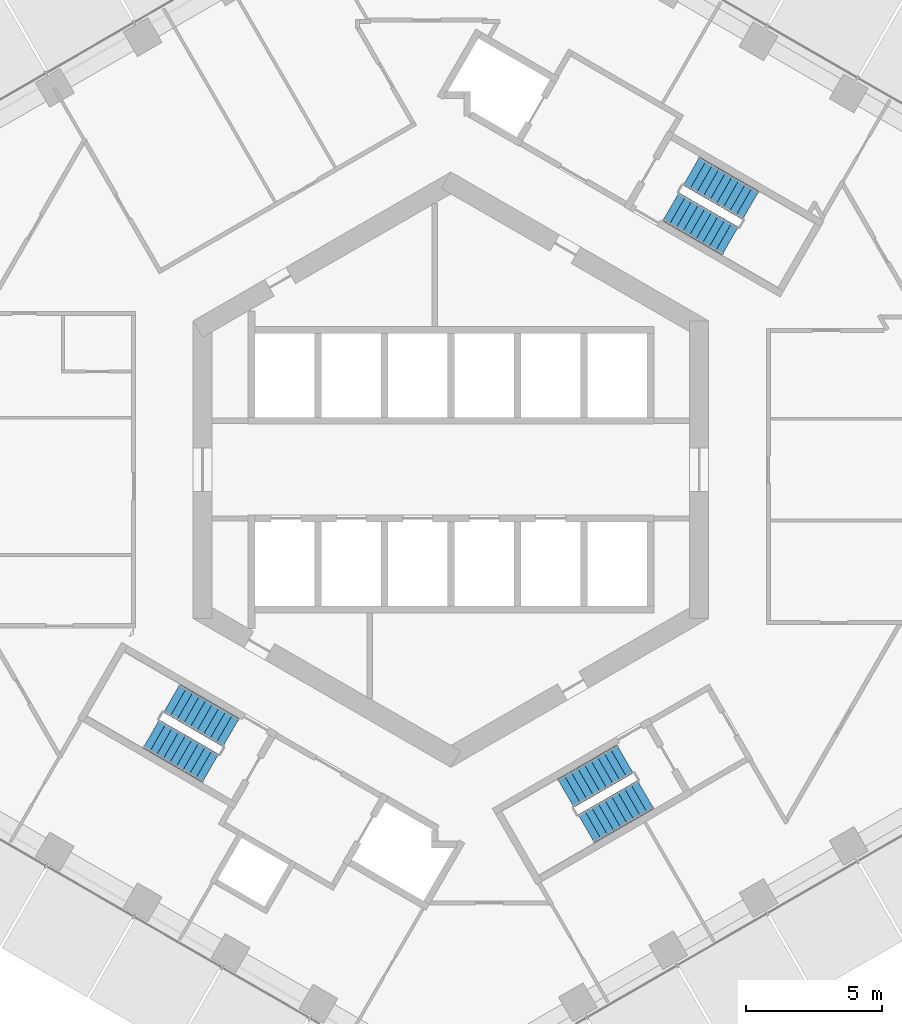
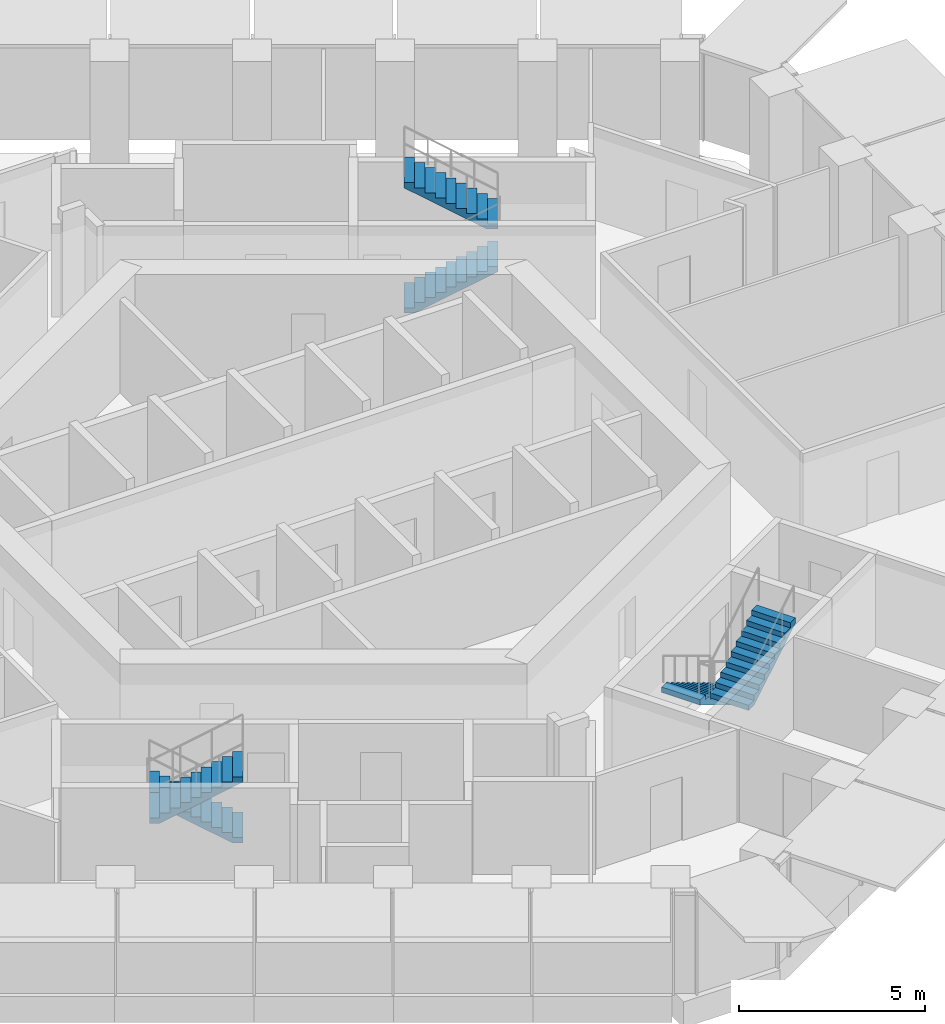
# One storey, part 16 of 18: 6 stair flights, 3 elements without a shape of their own.
"""IFC4 building model written with IfcOpenShell, lengths in metres."""

from ifc_helpers import new_model, si_unit, direction, frame, origin, place, context, subcontext, project, spatial, triangles, material, type_object, element, aggregate, save


model = new_model("IFC4")

# Units and contexts
model_context = context("Model", 3, precision=1e-05, world=origin(), true_north=direction((0.0, 1.0)))
body_context = subcontext(model_context, "Body", "Model", "MODEL_VIEW")
ifc_project = project(units=[si_unit("LENGTHUNIT", "METRE"), si_unit("AREAUNIT", "SQUARE_METRE"), si_unit("VOLUMEUNIT", "CUBIC_METRE"), si_unit("PLANEANGLEUNIT", "RADIAN"), si_unit("MASSUNIT", "GRAM", prefix="KILO")], contexts=[model_context])

# Site, building, storey
site_placement = place(None, origin())
site = spatial("IfcSite", under=ifc_project, at=site_placement, CompositionType="ELEMENT")
building_placement = place(site_placement, origin())
building = spatial("IfcBuilding", under=site, at=building_placement, Name="Ayvan Gate Tower", CompositionType="ELEMENT")
storey_placement = place(building_placement, frame((0.0, 0.0, 89.89990234375)))
storey = spatial("IfcBuildingStorey", under=building, at=storey_placement, Name="L23", CompositionType="ELEMENT", Elevation=89.89990234375)

# Stair, stair flights
ifc_material = material(Name="Concrete C40/50", Category="concrete")
stair_type = type_object("IfcStairType", Name="ST-EXIT", PredefinedType="HALF_TURN_STAIR", material=ifc_material)
stair_1_placement = place(storey_placement, origin())
stair_1 = element("IfcStair", 1, at=stair_1_placement, inside=storey, type_object=stair_type, Name="L23 Exit Stair S1", PredefinedType="HALF_TURN_STAIR")
stair_flight_type = type_object("IfcStairFlightType", Name="SFL-EXIT", PredefinedType="STRAIGHT", material=ifc_material)
stair_flight_1_placement = place(storey_placement, frame((8.106201171875, 9.690185546875, 0.0), z_axis=(0.0, 0.0, 1.0), x_axis=(0.866025403784, -0.5, 0.0)))
stair_flight_1 = element("IfcStairFlight", 2, at=stair_flight_1_placement, type_object=stair_flight_type, Name="STS1 flight 1", NumberOfRisers=10, NumberOfTreads=9, PredefinedType="STRAIGHT", RiserHeight=0.17, TreadLength=0.28, context=body_context, shape_type="Tessellation", body=[
    triangles([(0.288841, -0.599976, 0.0), (2.5205, -0.599976, 1.354936), (2.5205, -0.599976, 1.53), (2.24, -0.599976, 1.53), (2.24, -0.599976, 1.36), (1.96, -0.599976, 1.36), (1.96, -0.599976, 1.19), (1.68, -0.599976, 1.19), (1.68, -0.599976, 1.02), (1.4, -0.599976, 1.02), (1.4, -0.599976, 0.85), (1.12, -0.599976, 0.85), (1.12, -0.599976, 0.68), (0.84, -0.599976, 0.68), (0.84, -0.599976, 0.51), (0.56, -0.599976, 0.51), (0.56, -0.599976, 0.34), (0.28, -0.599976, 0.34), (0.28, -0.599976, 0.17), (-0.0005, -0.599976, 0.17), (-0.0005, -0.599976, 0.0), (0.288841, 0.0, 0.0), (2.5205, 0.0, 1.354936), (2.5205, 0.0, 1.53), (2.24, 0.0, 1.53), (2.24, 0.0, 1.36), (1.96, 0.0, 1.36), (1.96, 0.0, 1.19), (1.68, 0.0, 1.19), (1.68, 0.0, 1.02), (1.4, 0.0, 1.02), (1.4, 0.0, 0.85), (1.12, 0.0, 0.85), (1.12, 0.0, 0.68), (0.84, 0.0, 0.68), (0.84, 0.0, 0.51), (0.56, 0.0, 0.51), (0.56, 0.0, 0.34), (0.28, 0.0, 0.34), (0.28, 0.0, 0.17), (-0.0005, 0.0, 0.17), (-0.0005, 0.0, 0.0), (0.288841, 0.599976, 0.0), (2.5205, 0.599976, 1.354936), (2.5205, 0.599976, 1.53), (2.24, 0.599976, 1.53), (2.24, 0.599976, 1.36), (1.96, 0.599976, 1.36), (1.96, 0.599976, 1.19), (1.68, 0.599976, 1.19), (1.68, 0.599976, 1.02), (1.4, 0.599976, 1.02), (1.4, 0.599976, 0.85), (1.12, 0.599976, 0.85), (1.12, 0.599976, 0.68), (0.84, 0.599976, 0.68), (0.84, 0.599976, 0.51), (0.56, 0.599976, 0.51), (0.56, 0.599976, 0.34), (0.28, 0.599976, 0.34), (0.28, 0.599976, 0.17), (-0.0005, 0.599976, 0.17), (-0.0005, 0.599976, 0.0)], [[21, 1, 2], [63, 44, 43], [2, 3, 4], [44, 46, 45], [2, 4, 5], [44, 47, 46], [2, 5, 6], [44, 48, 47], [2, 6, 7], [44, 49, 48], [7, 8, 9], [49, 51, 50], [2, 7, 9], [44, 51, 49], [9, 10, 11], [51, 53, 52], [2, 9, 11], [44, 53, 51], [11, 12, 13], [53, 55, 54], [2, 11, 13], [44, 55, 53], [13, 14, 15], [55, 57, 56], [2, 13, 15], [44, 57, 55], [15, 16, 17], [57, 59, 58], [2, 15, 17], [44, 59, 57], [17, 18, 19], [59, 61, 60], [2, 17, 19], [44, 61, 59], [21, 2, 19], [63, 61, 44], [19, 20, 21], [61, 63, 62], [1, 22, 23], [1, 23, 2], [43, 23, 22], [43, 44, 23], [2, 23, 24], [2, 24, 3], [44, 24, 23], [44, 45, 24], [3, 24, 25], [3, 25, 4], [45, 25, 24], [45, 46, 25], [4, 25, 26], [4, 26, 5], [46, 26, 25], [46, 47, 26], [5, 26, 27], [5, 27, 6], [47, 27, 26], [47, 48, 27], [6, 27, 28], [6, 28, 7], [48, 28, 27], [48, 49, 28], [7, 28, 29], [7, 29, 8], [49, 29, 28], [49, 50, 29], [8, 29, 30], [8, 30, 9], [50, 30, 29], [50, 51, 30], [9, 30, 31], [9, 31, 10], [51, 31, 30], [51, 52, 31], [10, 31, 32], [10, 32, 11], [52, 32, 31], [52, 53, 32], [11, 32, 33], [11, 33, 12], [53, 33, 32], [53, 54, 33], [12, 33, 34], [12, 34, 13], [54, 34, 33], [54, 55, 34], [13, 34, 35], [13, 35, 14], [55, 35, 34], [55, 56, 35], [14, 35, 36], [14, 36, 15], [56, 36, 35], [56, 57, 36], [15, 36, 37], [15, 37, 16], [57, 37, 36], [57, 58, 37], [16, 37, 38], [16, 38, 17], [58, 38, 37], [58, 59, 38], [17, 38, 39], [17, 39, 18], [59, 39, 38], [59, 60, 39], [18, 39, 40], [18, 40, 19], [60, 40, 39], [60, 61, 40], [19, 40, 41], [19, 41, 20], [61, 41, 40], [61, 62, 41], [20, 41, 42], [20, 42, 21], [62, 42, 41], [62, 63, 42], [21, 42, 22], [21, 22, 1], [63, 22, 42], [63, 43, 22]], closed=True),
])
stair_flight_2_placement = place(storey_placement, frame((11.04345703125, 9.73779296875, 1.7001953125), z_axis=(0.0, 0.0, 1.0), x_axis=(-0.866025403784, 0.5, 0.0)))
stair_flight_2 = element("IfcStairFlight", 3, at=stair_flight_2_placement, type_object=stair_flight_type, Name="STS1 flight 2", NumberOfRisers=10, NumberOfTreads=9, PredefinedType="STRAIGHT", RiserHeight=0.17, TreadLength=0.28, context=body_context, shape_type="Tessellation", body=[
    triangles([(0.288841, -0.599976, 0.0), (2.5205, -0.599976, 1.354936), (2.5205, -0.599976, 1.53), (2.24, -0.599976, 1.53), (2.24, -0.599976, 1.36), (1.96, -0.599976, 1.36), (1.96, -0.599976, 1.19), (1.68, -0.599976, 1.19), (1.68, -0.599976, 1.02), (1.4, -0.599976, 1.02), (1.4, -0.599976, 0.85), (1.12, -0.599976, 0.85), (1.12, -0.599976, 0.68), (0.84, -0.599976, 0.68), (0.84, -0.599976, 0.51), (0.56, -0.599976, 0.51), (0.56, -0.599976, 0.34), (0.28, -0.599976, 0.34), (0.28, -0.599976, 0.17), (-0.0005, -0.599976, 0.17), (-0.0005, -0.599976, 0.0), (0.288841, 0.0, 0.0), (2.5205, 0.0, 1.354936), (2.5205, 0.0, 1.53), (2.24, 0.0, 1.53), (2.24, 0.0, 1.36), (1.96, 0.0, 1.36), (1.96, 0.0, 1.19), (1.68, 0.0, 1.19), (1.68, 0.0, 1.02), (1.4, 0.0, 1.02), (1.4, 0.0, 0.85), (1.12, 0.0, 0.85), (1.12, 0.0, 0.68), (0.84, 0.0, 0.68), (0.84, 0.0, 0.51), (0.56, 0.0, 0.51), (0.56, 0.0, 0.34), (0.28, 0.0, 0.34), (0.28, 0.0, 0.17), (-0.0005, 0.0, 0.17), (-0.0005, 0.0, 0.0), (0.288841, 0.599976, 0.0), (2.5205, 0.599976, 1.354936), (2.5205, 0.599976, 1.53), (2.24, 0.599976, 1.53), (2.24, 0.599976, 1.36), (1.96, 0.599976, 1.36), (1.96, 0.599976, 1.19), (1.68, 0.599976, 1.19), (1.68, 0.599976, 1.02), (1.4, 0.599976, 1.02), (1.4, 0.599976, 0.85), (1.12, 0.599976, 0.85), (1.12, 0.599976, 0.68), (0.84, 0.599976, 0.68), (0.84, 0.599976, 0.51), (0.56, 0.599976, 0.51), (0.56, 0.599976, 0.34), (0.28, 0.599976, 0.34), (0.28, 0.599976, 0.17), (-0.0005, 0.599976, 0.17), (-0.0005, 0.599976, 0.0)], [[21, 1, 2], [63, 44, 43], [2, 3, 4], [44, 46, 45], [2, 4, 5], [44, 47, 46], [2, 5, 6], [44, 48, 47], [2, 6, 7], [44, 49, 48], [7, 8, 9], [49, 51, 50], [2, 7, 9], [44, 51, 49], [9, 10, 11], [51, 53, 52], [2, 9, 11], [44, 53, 51], [11, 12, 13], [53, 55, 54], [2, 11, 13], [44, 55, 53], [13, 14, 15], [55, 57, 56], [2, 13, 15], [44, 57, 55], [15, 16, 17], [57, 59, 58], [2, 15, 17], [44, 59, 57], [17, 18, 19], [59, 61, 60], [2, 17, 19], [44, 61, 59], [21, 2, 19], [63, 61, 44], [19, 20, 21], [61, 63, 62], [1, 22, 23], [1, 23, 2], [43, 23, 22], [43, 44, 23], [2, 23, 24], [2, 24, 3], [44, 24, 23], [44, 45, 24], [3, 24, 25], [3, 25, 4], [45, 25, 24], [45, 46, 25], [4, 25, 26], [4, 26, 5], [46, 26, 25], [46, 47, 26], [5, 26, 27], [5, 27, 6], [47, 27, 26], [47, 48, 27], [6, 27, 28], [6, 28, 7], [48, 28, 27], [48, 49, 28], [7, 28, 29], [7, 29, 8], [49, 29, 28], [49, 50, 29], [8, 29, 30], [8, 30, 9], [50, 30, 29], [50, 51, 30], [9, 30, 31], [9, 31, 10], [51, 31, 30], [51, 52, 31], [10, 31, 32], [10, 32, 11], [52, 32, 31], [52, 53, 32], [11, 32, 33], [11, 33, 12], [53, 33, 32], [53, 54, 33], [12, 33, 34], [12, 34, 13], [54, 34, 33], [54, 55, 34], [13, 34, 35], [13, 35, 14], [55, 35, 34], [55, 56, 35], [14, 35, 36], [14, 36, 15], [56, 36, 35], [56, 57, 36], [15, 36, 37], [15, 37, 16], [57, 37, 36], [57, 58, 37], [16, 37, 38], [16, 38, 17], [58, 38, 37], [58, 59, 38], [17, 38, 39], [17, 39, 18], [59, 39, 38], [59, 60, 39], [18, 39, 40], [18, 40, 19], [60, 40, 39], [60, 61, 40], [19, 40, 41], [19, 41, 20], [61, 41, 40], [61, 62, 41], [20, 41, 42], [20, 42, 21], [62, 42, 41], [62, 63, 42], [21, 42, 22], [21, 22, 1], [63, 22, 42], [63, 43, 22]], closed=True),
])
aggregate(stair_1, [stair_flight_1, stair_flight_2])

stair_2_placement = place(storey_placement, origin())
stair_2 = element("IfcStair", 4, at=stair_2_placement, inside=storey, type_object=stair_type, Name="L23 Exit Stair S2", PredefinedType="HALF_TURN_STAIR")
stair_flight_3_placement = place(storey_placement, frame((-8.106201171875, -9.690185546875, 0.0), z_axis=(0.0, 0.0, 1.0), x_axis=(-0.866025403784, 0.5, 0.0)))
stair_flight_3 = element("IfcStairFlight", 5, at=stair_flight_3_placement, type_object=stair_flight_type, Name="STS2 flight 1", NumberOfRisers=10, NumberOfTreads=9, PredefinedType="STRAIGHT", RiserHeight=0.17, TreadLength=0.28, context=body_context, shape_type="Tessellation", body=[
    triangles([(0.288841, -0.599976, 0.0), (2.5205, -0.599976, 1.354936), (2.5205, -0.599976, 1.53), (2.24, -0.599976, 1.53), (2.24, -0.599976, 1.36), (1.96, -0.599976, 1.36), (1.96, -0.599976, 1.19), (1.68, -0.599976, 1.19), (1.68, -0.599976, 1.02), (1.4, -0.599976, 1.02), (1.4, -0.599976, 0.85), (1.12, -0.599976, 0.85), (1.12, -0.599976, 0.68), (0.84, -0.599976, 0.68), (0.84, -0.599976, 0.51), (0.56, -0.599976, 0.51), (0.56, -0.599976, 0.34), (0.28, -0.599976, 0.34), (0.28, -0.599976, 0.17), (-0.0005, -0.599976, 0.17), (-0.0005, -0.599976, 0.0), (0.288841, 0.0, 0.0), (2.5205, 0.0, 1.354936), (2.5205, 0.0, 1.53), (2.24, 0.0, 1.53), (2.24, 0.0, 1.36), (1.96, 0.0, 1.36), (1.96, 0.0, 1.19), (1.68, 0.0, 1.19), (1.68, 0.0, 1.02), (1.4, 0.0, 1.02), (1.4, 0.0, 0.85), (1.12, 0.0, 0.85), (1.12, 0.0, 0.68), (0.84, 0.0, 0.68), (0.84, 0.0, 0.51), (0.56, 0.0, 0.51), (0.56, 0.0, 0.34), (0.28, 0.0, 0.34), (0.28, 0.0, 0.17), (-0.0005, 0.0, 0.17), (-0.0005, 0.0, 0.0), (0.288841, 0.599976, 0.0), (2.5205, 0.599976, 1.354936), (2.5205, 0.599976, 1.53), (2.24, 0.599976, 1.53), (2.24, 0.599976, 1.36), (1.96, 0.599976, 1.36), (1.96, 0.599976, 1.19), (1.68, 0.599976, 1.19), (1.68, 0.599976, 1.02), (1.4, 0.599976, 1.02), (1.4, 0.599976, 0.85), (1.12, 0.599976, 0.85), (1.12, 0.599976, 0.68), (0.84, 0.599976, 0.68), (0.84, 0.599976, 0.51), (0.56, 0.599976, 0.51), (0.56, 0.599976, 0.34), (0.28, 0.599976, 0.34), (0.28, 0.599976, 0.17), (-0.0005, 0.599976, 0.17), (-0.0005, 0.599976, 0.0)], [[21, 1, 2], [63, 44, 43], [2, 3, 4], [44, 46, 45], [2, 4, 5], [44, 47, 46], [2, 5, 6], [44, 48, 47], [2, 6, 7], [44, 49, 48], [7, 8, 9], [49, 51, 50], [2, 7, 9], [44, 51, 49], [9, 10, 11], [51, 53, 52], [2, 9, 11], [44, 53, 51], [11, 12, 13], [53, 55, 54], [2, 11, 13], [44, 55, 53], [13, 14, 15], [55, 57, 56], [2, 13, 15], [44, 57, 55], [15, 16, 17], [57, 59, 58], [2, 15, 17], [44, 59, 57], [17, 18, 19], [59, 61, 60], [2, 17, 19], [44, 61, 59], [21, 2, 19], [63, 61, 44], [19, 20, 21], [61, 63, 62], [1, 22, 23], [1, 23, 2], [43, 23, 22], [43, 44, 23], [2, 23, 24], [2, 24, 3], [44, 24, 23], [44, 45, 24], [3, 24, 25], [3, 25, 4], [45, 25, 24], [45, 46, 25], [4, 25, 26], [4, 26, 5], [46, 26, 25], [46, 47, 26], [5, 26, 27], [5, 27, 6], [47, 27, 26], [47, 48, 27], [6, 27, 28], [6, 28, 7], [48, 28, 27], [48, 49, 28], [7, 28, 29], [7, 29, 8], [49, 29, 28], [49, 50, 29], [8, 29, 30], [8, 30, 9], [50, 30, 29], [50, 51, 30], [9, 30, 31], [9, 31, 10], [51, 31, 30], [51, 52, 31], [10, 31, 32], [10, 32, 11], [52, 32, 31], [52, 53, 32], [11, 32, 33], [11, 33, 12], [53, 33, 32], [53, 54, 33], [12, 33, 34], [12, 34, 13], [54, 34, 33], [54, 55, 34], [13, 34, 35], [13, 35, 14], [55, 35, 34], [55, 56, 35], [14, 35, 36], [14, 36, 15], [56, 36, 35], [56, 57, 36], [15, 36, 37], [15, 37, 16], [57, 37, 36], [57, 58, 37], [16, 37, 38], [16, 38, 17], [58, 38, 37], [58, 59, 38], [17, 38, 39], [17, 39, 18], [59, 39, 38], [59, 60, 39], [18, 39, 40], [18, 40, 19], [60, 40, 39], [60, 61, 40], [19, 40, 41], [19, 41, 20], [61, 41, 40], [61, 62, 41], [20, 41, 42], [20, 42, 21], [62, 42, 41], [62, 63, 42], [21, 42, 22], [21, 22, 1], [63, 22, 42], [63, 43, 22]], closed=True),
])
stair_flight_4_placement = place(storey_placement, frame((-11.04345703125, -9.73779296875, 1.7001953125), z_axis=(0.0, 0.0, 1.0), x_axis=(0.866025403784, -0.5, 0.0)))
stair_flight_4 = element("IfcStairFlight", 6, at=stair_flight_4_placement, type_object=stair_flight_type, Name="STS2 flight 2", NumberOfRisers=10, NumberOfTreads=9, PredefinedType="STRAIGHT", RiserHeight=0.17, TreadLength=0.28, context=body_context, shape_type="Tessellation", body=[
    triangles([(0.288841, -0.599976, 0.0), (2.5205, -0.599976, 1.354936), (2.5205, -0.599976, 1.53), (2.24, -0.599976, 1.53), (2.24, -0.599976, 1.36), (1.96, -0.599976, 1.36), (1.96, -0.599976, 1.19), (1.68, -0.599976, 1.19), (1.68, -0.599976, 1.02), (1.4, -0.599976, 1.02), (1.4, -0.599976, 0.85), (1.12, -0.599976, 0.85), (1.12, -0.599976, 0.68), (0.84, -0.599976, 0.68), (0.84, -0.599976, 0.51), (0.56, -0.599976, 0.51), (0.56, -0.599976, 0.34), (0.28, -0.599976, 0.34), (0.28, -0.599976, 0.17), (-0.0005, -0.599976, 0.17), (-0.0005, -0.599976, 0.0), (0.288841, 0.0, 0.0), (2.5205, 0.0, 1.354936), (2.5205, 0.0, 1.53), (2.24, 0.0, 1.53), (2.24, 0.0, 1.36), (1.96, 0.0, 1.36), (1.96, 0.0, 1.19), (1.68, 0.0, 1.19), (1.68, 0.0, 1.02), (1.4, 0.0, 1.02), (1.4, 0.0, 0.85), (1.12, 0.0, 0.85), (1.12, 0.0, 0.68), (0.84, 0.0, 0.68), (0.84, 0.0, 0.51), (0.56, 0.0, 0.51), (0.56, 0.0, 0.34), (0.28, 0.0, 0.34), (0.28, 0.0, 0.17), (-0.0005, 0.0, 0.17), (-0.0005, 0.0, 0.0), (0.288841, 0.599976, 0.0), (2.5205, 0.599976, 1.354936), (2.5205, 0.599976, 1.53), (2.24, 0.599976, 1.53), (2.24, 0.599976, 1.36), (1.96, 0.599976, 1.36), (1.96, 0.599976, 1.19), (1.68, 0.599976, 1.19), (1.68, 0.599976, 1.02), (1.4, 0.599976, 1.02), (1.4, 0.599976, 0.85), (1.12, 0.599976, 0.85), (1.12, 0.599976, 0.68), (0.84, 0.599976, 0.68), (0.84, 0.599976, 0.51), (0.56, 0.599976, 0.51), (0.56, 0.599976, 0.34), (0.28, 0.599976, 0.34), (0.28, 0.599976, 0.17), (-0.0005, 0.599976, 0.17), (-0.0005, 0.599976, 0.0)], [[21, 1, 2], [63, 44, 43], [2, 3, 4], [44, 46, 45], [2, 4, 5], [44, 47, 46], [2, 5, 6], [44, 48, 47], [2, 6, 7], [44, 49, 48], [7, 8, 9], [49, 51, 50], [2, 7, 9], [44, 51, 49], [9, 10, 11], [51, 53, 52], [2, 9, 11], [44, 53, 51], [11, 12, 13], [53, 55, 54], [2, 11, 13], [44, 55, 53], [13, 14, 15], [55, 57, 56], [2, 13, 15], [44, 57, 55], [15, 16, 17], [57, 59, 58], [2, 15, 17], [44, 59, 57], [17, 18, 19], [59, 61, 60], [2, 17, 19], [44, 61, 59], [21, 2, 19], [63, 61, 44], [19, 20, 21], [61, 63, 62], [1, 22, 23], [1, 23, 2], [43, 23, 22], [43, 44, 23], [2, 23, 24], [2, 24, 3], [44, 24, 23], [44, 45, 24], [3, 24, 25], [3, 25, 4], [45, 25, 24], [45, 46, 25], [4, 25, 26], [4, 26, 5], [46, 26, 25], [46, 47, 26], [5, 26, 27], [5, 27, 6], [47, 27, 26], [47, 48, 27], [6, 27, 28], [6, 28, 7], [48, 28, 27], [48, 49, 28], [7, 28, 29], [7, 29, 8], [49, 29, 28], [49, 50, 29], [8, 29, 30], [8, 30, 9], [50, 30, 29], [50, 51, 30], [9, 30, 31], [9, 31, 10], [51, 31, 30], [51, 52, 31], [10, 31, 32], [10, 32, 11], [52, 32, 31], [52, 53, 32], [11, 32, 33], [11, 33, 12], [53, 33, 32], [53, 54, 33], [12, 33, 34], [12, 34, 13], [54, 34, 33], [54, 55, 34], [13, 34, 35], [13, 35, 14], [55, 35, 34], [55, 56, 35], [14, 35, 36], [14, 36, 15], [56, 36, 35], [56, 57, 36], [15, 36, 37], [15, 37, 16], [57, 37, 36], [57, 58, 37], [16, 37, 38], [16, 38, 17], [58, 38, 37], [58, 59, 38], [17, 38, 39], [17, 39, 18], [59, 39, 38], [59, 60, 39], [18, 39, 40], [18, 40, 19], [60, 40, 39], [60, 61, 40], [19, 40, 41], [19, 41, 20], [61, 41, 40], [61, 62, 41], [20, 41, 42], [20, 42, 21], [62, 42, 41], [62, 63, 42], [21, 42, 22], [21, 22, 1], [63, 22, 42], [63, 43, 22]], closed=True),
])
aggregate(stair_2, [stair_flight_3, stair_flight_4])

stair_3_placement = place(storey_placement, origin())
stair_3 = element("IfcStair", 7, at=stair_3_placement, inside=storey, type_object=stair_type, Name="L23 Exit Stair S3", PredefinedType="HALF_TURN_STAIR")
stair_flight_5_placement = place(storey_placement, frame((6.417236328125, -10.665283203125, 0.0), z_axis=(0.0, 0.0, 1.0), x_axis=(-0.866025403784, -0.5, 0.0)))
stair_flight_5 = element("IfcStairFlight", 8, at=stair_flight_5_placement, type_object=stair_flight_type, Name="STS3 flight 1", NumberOfRisers=10, NumberOfTreads=9, PredefinedType="STRAIGHT", RiserHeight=0.17, TreadLength=0.28, context=body_context, shape_type="Tessellation", body=[
    triangles([(0.288841, -0.599976, 0.0), (2.5205, -0.599976, 1.354936), (2.5205, -0.599976, 1.53), (2.24, -0.599976, 1.53), (2.24, -0.599976, 1.36), (1.96, -0.599976, 1.36), (1.96, -0.599976, 1.19), (1.68, -0.599976, 1.19), (1.68, -0.599976, 1.02), (1.4, -0.599976, 1.02), (1.4, -0.599976, 0.85), (1.12, -0.599976, 0.85), (1.12, -0.599976, 0.68), (0.84, -0.599976, 0.68), (0.84, -0.599976, 0.51), (0.56, -0.599976, 0.51), (0.56, -0.599976, 0.34), (0.28, -0.599976, 0.34), (0.28, -0.599976, 0.17), (-0.0005, -0.599976, 0.17), (-0.0005, -0.599976, 0.0), (0.288841, 0.0, 0.0), (2.5205, 0.0, 1.354936), (2.5205, 0.0, 1.53), (2.24, 0.0, 1.53), (2.24, 0.0, 1.36), (1.96, 0.0, 1.36), (1.96, 0.0, 1.19), (1.68, 0.0, 1.19), (1.68, 0.0, 1.02), (1.4, 0.0, 1.02), (1.4, 0.0, 0.85), (1.12, 0.0, 0.85), (1.12, 0.0, 0.68), (0.84, 0.0, 0.68), (0.84, 0.0, 0.51), (0.56, 0.0, 0.51), (0.56, 0.0, 0.34), (0.28, 0.0, 0.34), (0.28, 0.0, 0.17), (-0.0005, 0.0, 0.17), (-0.0005, 0.0, 0.0), (0.288841, 0.599976, 0.0), (2.5205, 0.599976, 1.354936), (2.5205, 0.599976, 1.53), (2.24, 0.599976, 1.53), (2.24, 0.599976, 1.36), (1.96, 0.599976, 1.36), (1.96, 0.599976, 1.19), (1.68, 0.599976, 1.19), (1.68, 0.599976, 1.02), (1.4, 0.599976, 1.02), (1.4, 0.599976, 0.85), (1.12, 0.599976, 0.85), (1.12, 0.599976, 0.68), (0.84, 0.599976, 0.68), (0.84, 0.599976, 0.51), (0.56, 0.599976, 0.51), (0.56, 0.599976, 0.34), (0.28, 0.599976, 0.34), (0.28, 0.599976, 0.17), (-0.0005, 0.599976, 0.17), (-0.0005, 0.599976, 0.0)], [[21, 1, 2], [63, 44, 43], [2, 3, 4], [44, 46, 45], [2, 4, 5], [44, 47, 46], [2, 5, 6], [44, 48, 47], [2, 6, 7], [44, 49, 48], [7, 8, 9], [49, 51, 50], [2, 7, 9], [44, 51, 49], [9, 10, 11], [51, 53, 52], [2, 9, 11], [44, 53, 51], [11, 12, 13], [53, 55, 54], [2, 11, 13], [44, 55, 53], [13, 14, 15], [55, 57, 56], [2, 13, 15], [44, 57, 55], [15, 16, 17], [57, 59, 58], [2, 15, 17], [44, 59, 57], [17, 18, 19], [59, 61, 60], [2, 17, 19], [44, 61, 59], [21, 2, 19], [63, 61, 44], [19, 20, 21], [61, 63, 62], [1, 22, 23], [1, 23, 2], [43, 23, 22], [43, 44, 23], [2, 23, 24], [2, 24, 3], [44, 24, 23], [44, 45, 24], [3, 24, 25], [3, 25, 4], [45, 25, 24], [45, 46, 25], [4, 25, 26], [4, 26, 5], [46, 26, 25], [46, 47, 26], [5, 26, 27], [5, 27, 6], [47, 27, 26], [47, 48, 27], [6, 27, 28], [6, 28, 7], [48, 28, 27], [48, 49, 28], [7, 28, 29], [7, 29, 8], [49, 29, 28], [49, 50, 29], [8, 29, 30], [8, 30, 9], [50, 30, 29], [50, 51, 30], [9, 30, 31], [9, 31, 10], [51, 31, 30], [51, 52, 31], [10, 31, 32], [10, 32, 11], [52, 32, 31], [52, 53, 32], [11, 32, 33], [11, 33, 12], [53, 33, 32], [53, 54, 33], [12, 33, 34], [12, 34, 13], [54, 34, 33], [54, 55, 34], [13, 34, 35], [13, 35, 14], [55, 35, 34], [55, 56, 35], [14, 35, 36], [14, 36, 15], [56, 36, 35], [56, 57, 36], [15, 36, 37], [15, 37, 16], [57, 37, 36], [57, 58, 37], [16, 37, 38], [16, 38, 17], [58, 38, 37], [58, 59, 38], [17, 38, 39], [17, 39, 18], [59, 39, 38], [59, 60, 39], [18, 39, 40], [18, 40, 19], [60, 40, 39], [60, 61, 40], [19, 40, 41], [19, 41, 20], [61, 41, 40], [61, 62, 41], [20, 41, 42], [20, 42, 21], [62, 42, 41], [62, 63, 42], [21, 42, 22], [21, 22, 1], [63, 22, 42], [63, 43, 22]], closed=True),
])
stair_flight_6_placement = place(storey_placement, frame((4.989990234375, -13.23291015625, 1.7001953125), z_axis=(0.0, 0.0, 1.0), x_axis=(0.866025403784, 0.5, 0.0)))
stair_flight_6 = element("IfcStairFlight", 9, at=stair_flight_6_placement, type_object=stair_flight_type, Name="STS3 flight 2", NumberOfRisers=10, NumberOfTreads=9, PredefinedType="STRAIGHT", RiserHeight=0.17, TreadLength=0.28, context=body_context, shape_type="Tessellation", body=[
    triangles([(0.288841, -0.599976, 0.0), (2.5205, -0.599976, 1.354936), (2.5205, -0.599976, 1.53), (2.24, -0.599976, 1.53), (2.24, -0.599976, 1.36), (1.96, -0.599976, 1.36), (1.96, -0.599976, 1.19), (1.68, -0.599976, 1.19), (1.68, -0.599976, 1.02), (1.4, -0.599976, 1.02), (1.4, -0.599976, 0.85), (1.12, -0.599976, 0.85), (1.12, -0.599976, 0.68), (0.84, -0.599976, 0.68), (0.84, -0.599976, 0.51), (0.56, -0.599976, 0.51), (0.56, -0.599976, 0.34), (0.28, -0.599976, 0.34), (0.28, -0.599976, 0.17), (-0.0005, -0.599976, 0.17), (-0.0005, -0.599976, 0.0), (0.288841, 0.0, 0.0), (2.5205, 0.0, 1.354936), (2.5205, 0.0, 1.53), (2.24, 0.0, 1.53), (2.24, 0.0, 1.36), (1.96, 0.0, 1.36), (1.96, 0.0, 1.19), (1.68, 0.0, 1.19), (1.68, 0.0, 1.02), (1.4, 0.0, 1.02), (1.4, 0.0, 0.85), (1.12, 0.0, 0.85), (1.12, 0.0, 0.68), (0.84, 0.0, 0.68), (0.84, 0.0, 0.51), (0.56, 0.0, 0.51), (0.56, 0.0, 0.34), (0.28, 0.0, 0.34), (0.28, 0.0, 0.17), (-0.0005, 0.0, 0.17), (-0.0005, 0.0, 0.0), (0.288841, 0.599976, 0.0), (2.5205, 0.599976, 1.354936), (2.5205, 0.599976, 1.53), (2.24, 0.599976, 1.53), (2.24, 0.599976, 1.36), (1.96, 0.599976, 1.36), (1.96, 0.599976, 1.19), (1.68, 0.599976, 1.19), (1.68, 0.599976, 1.02), (1.4, 0.599976, 1.02), (1.4, 0.599976, 0.85), (1.12, 0.599976, 0.85), (1.12, 0.599976, 0.68), (0.84, 0.599976, 0.68), (0.84, 0.599976, 0.51), (0.56, 0.599976, 0.51), (0.56, 0.599976, 0.34), (0.28, 0.599976, 0.34), (0.28, 0.599976, 0.17), (-0.0005, 0.599976, 0.17), (-0.0005, 0.599976, 0.0)], [[21, 1, 2], [63, 44, 43], [2, 3, 4], [44, 46, 45], [2, 4, 5], [44, 47, 46], [2, 5, 6], [44, 48, 47], [2, 6, 7], [44, 49, 48], [7, 8, 9], [49, 51, 50], [2, 7, 9], [44, 51, 49], [9, 10, 11], [51, 53, 52], [2, 9, 11], [44, 53, 51], [11, 12, 13], [53, 55, 54], [2, 11, 13], [44, 55, 53], [13, 14, 15], [55, 57, 56], [2, 13, 15], [44, 57, 55], [15, 16, 17], [57, 59, 58], [2, 15, 17], [44, 59, 57], [17, 18, 19], [59, 61, 60], [2, 17, 19], [44, 61, 59], [21, 2, 19], [63, 61, 44], [19, 20, 21], [61, 63, 62], [1, 22, 23], [1, 23, 2], [43, 23, 22], [43, 44, 23], [2, 23, 24], [2, 24, 3], [44, 24, 23], [44, 45, 24], [3, 24, 25], [3, 25, 4], [45, 25, 24], [45, 46, 25], [4, 25, 26], [4, 26, 5], [46, 26, 25], [46, 47, 26], [5, 26, 27], [5, 27, 6], [47, 27, 26], [47, 48, 27], [6, 27, 28], [6, 28, 7], [48, 28, 27], [48, 49, 28], [7, 28, 29], [7, 29, 8], [49, 29, 28], [49, 50, 29], [8, 29, 30], [8, 30, 9], [50, 30, 29], [50, 51, 30], [9, 30, 31], [9, 31, 10], [51, 31, 30], [51, 52, 31], [10, 31, 32], [10, 32, 11], [52, 32, 31], [52, 53, 32], [11, 32, 33], [11, 33, 12], [53, 33, 32], [53, 54, 33], [12, 33, 34], [12, 34, 13], [54, 34, 33], [54, 55, 34], [13, 34, 35], [13, 35, 14], [55, 35, 34], [55, 56, 35], [14, 35, 36], [14, 36, 15], [56, 36, 35], [56, 57, 36], [15, 36, 37], [15, 37, 16], [57, 37, 36], [57, 58, 37], [16, 37, 38], [16, 38, 17], [58, 38, 37], [58, 59, 38], [17, 38, 39], [17, 39, 18], [59, 39, 38], [59, 60, 39], [18, 39, 40], [18, 40, 19], [60, 40, 39], [60, 61, 40], [19, 40, 41], [19, 41, 20], [61, 41, 40], [61, 62, 41], [20, 41, 42], [20, 42, 21], [62, 42, 41], [62, 63, 42], [21, 42, 22], [21, 22, 1], [63, 22, 42], [63, 43, 22]], closed=True),
])
aggregate(stair_3, [stair_flight_5, stair_flight_6])

save(model, "model.ifc")
